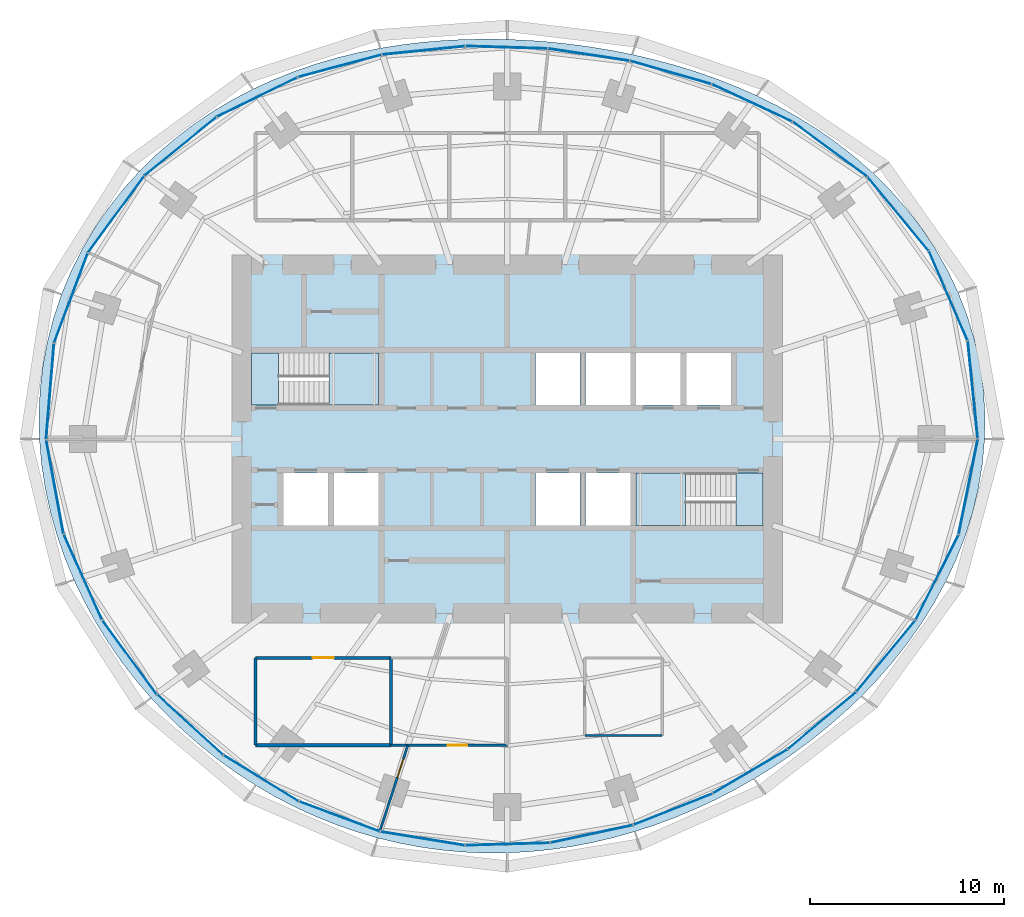
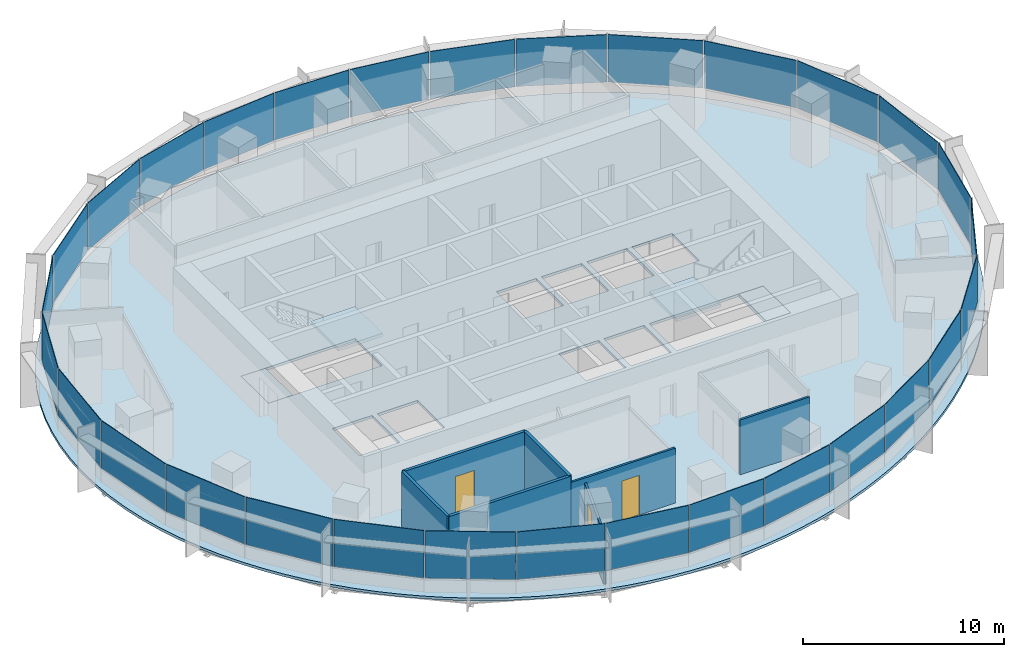
# One storey, part 9 of 14: 30 plates, 7 walls, 5 slabs, 3 doors, 3 openings, 8 elements without a shape of their own.
"""IFC4 building model written with IfcOpenShell, lengths in metres."""

from ifc_helpers import new_model, si_unit, direction, frame, frame_2d, origin, origin_2d, place, context, subcontext, project, spatial, polyline, rectangle, outline, extrude, material, layer, layer_set, type_object, element, fill, aggregate, save


model = new_model("IFC4")

# Units and contexts
model_context = context("Model", 3, precision=1e-05, world=origin(), true_north=direction((0.0, 1.0)))
body_context = subcontext(model_context, "Body", "Model", "MODEL_VIEW")
ifc_project = project(units=[si_unit("LENGTHUNIT", "METRE"), si_unit("AREAUNIT", "SQUARE_METRE"), si_unit("VOLUMEUNIT", "CUBIC_METRE"), si_unit("PLANEANGLEUNIT", "RADIAN"), si_unit("MASSUNIT", "GRAM", prefix="KILO")], contexts=[model_context])

# Site, building, storey
site_placement = place(None, origin())
site = spatial("IfcSite", under=ifc_project, at=site_placement, CompositionType="ELEMENT")
building_placement = place(site_placement, origin())
building = spatial("IfcBuilding", under=site, at=building_placement, Name="Marramba Exchange Tower", CompositionType="ELEMENT")
storey_placement = place(building_placement, frame((0.0, 0.0, 234.5)))
storey = spatial("IfcBuildingStorey", under=building, at=storey_placement, Name="L57", CompositionType="ELEMENT", Elevation=234.5)

# Slab
ifc_material_1 = material(Name="Concrete N40", Category="concrete")
ifc_layer_1 = layer(ifc_material_1, 0.159912109375)
ifc_layer_set_1 = layer_set([ifc_layer_1], Name="Composite floor slab 160")
slab_type_1 = type_object("IfcSlabType", Name="Composite floor slab 160", PredefinedType="FLOOR", material=ifc_layer_set_1)
slab_1_placement = place(storey_placement, frame((0.0, 0.0, -0.159912109375)))
element("IfcSlab", 1, at=slab_1_placement, inside=storey, type_object=slab_type_1, Name="Floor slab L57", PredefinedType="FLOOR", context=body_context, shape_type="SweptSolid", body=[
    extrude(outline(polyline([(24.64404296875, 0.0), (24.661376953125, 1.29248046875), (24.580078125, 2.58349609375), (24.399658203125, 3.864501953125), (24.12109375, 5.127197265625), (23.7470703125, 6.363037109375), (23.281494140625, 7.564697265625), (22.72900390625, 8.724853515625), (22.095947265625, 9.837646484375), (21.388427734375, 10.89794921875), (20.614013671875, 11.901611328125), (19.780029296875, 12.845458984375), (18.894287109375, 13.7275390625), (17.964111328125, 14.547119140625), (16.996826171875, 15.303955078125), (15.9990234375, 15.9990234375), (14.977294921875, 16.634033203125), (13.936767578125, 17.21044921875), (12.882568359375, 17.7314453125), (11.819091796875, 18.19970703125), (10.749267578125, 18.6181640625), (9.67578125, 18.989990234375), (8.60107421875, 19.318115234375), (7.52587890625, 19.60546875), (6.451171875, 19.8544921875), (5.377197265625, 20.067626953125), (4.303466796875, 20.246337890625), (3.229736328125, 20.39208984375), (2.1552734375, 20.50537109375), (1.078857421875, 20.5869140625), (0.0, 20.63623046875), (-1.082275390625, 20.652587890625), (-2.168701171875, 20.634765625), (-3.259765625, 20.580810546875), (-4.35498046875, 20.4892578125), (-5.45458984375, 20.35693359375), (-6.557373046875, 20.181884765625), (-7.662353515625, 19.9609375), (-8.76708984375, 19.691162109375), (-9.869384765625, 19.369873046875), (-10.96630859375, 18.994384765625), (-12.05419921875, 18.561767578125), (-13.128662109375, 18.070068359375), (-14.185546875, 17.517578125), (-15.218994140625, 16.902587890625), (-16.22412109375, 16.22412109375), (-17.195068359375, 15.482421875), (-18.12548828125, 14.677734375), (-19.009521484375, 13.811279296875), (-19.841064453125, 12.885009765625), (-20.614013671875, 11.901611328125), (-21.32275390625, 10.864501953125), (-21.9619140625, 9.778076171875), (-22.52685546875, 8.647216796875), (-23.01318359375, 7.477294921875), (-23.417724609375, 6.274658203125), (-23.73779296875, 5.045654296875), (-23.971923828125, 3.796875), (-24.119384765625, 2.53515625), (-24.180419921875, 1.267333984375), (-24.156005859375, 0.0), (-24.04833984375, -1.26025390625), (-23.860107421875, -2.5078125), (-23.594482421875, -3.737060546875), (-23.25537109375, -4.943115234375), (-22.846923828125, -6.121826171875), (-22.373291015625, -7.26953125), (-21.8388671875, -8.38330078125), (-21.247802734375, -9.460205078125), (-20.604248046875, -10.49853515625), (-19.912109375, -11.496337890625), (-19.174560546875, -12.4521484375), (-18.395263671875, -13.364990234375), (-17.5771484375, -14.233642578125), (-16.72265625, -15.05712890625), (-15.834228515625, -15.834228515625), (-14.914794921875, -16.564453125), (-13.966064453125, -17.24658203125), (-12.990234375, -17.879638671875), (-11.98974609375, -18.46240234375), (-10.96630859375, -18.994384765625), (-9.922607421875, -19.47412109375), (-8.860595703125, -19.901123046875), (-7.78271484375, -20.2744140625), (-6.691162109375, -20.593505859375), (-5.5888671875, -20.858154296875), (-4.478271484375, -21.068115234375), (-3.361328125, -21.22314453125), (-2.2412109375, -21.32373046875), (-1.119873046875, -21.370361328125), (0.0, -21.36376953125), (1.116455078125, -21.3046875), (2.2275390625, -21.194580078125), (3.33154296875, -21.0341796875), (4.426513671875, -20.8251953125), (5.511474609375, -20.56884765625), (6.5849609375, -20.266357421875), (7.646240234375, -19.919189453125), (8.694580078125, -19.528076171875), (9.72900390625, -19.09423828125), (10.749267578125, -18.6181640625), (11.75439453125, -18.100341796875), (12.744140625, -17.541015625), (13.71728515625, -16.939697265625), (14.6728515625, -16.2958984375), (15.609130859375, -15.609130859375), (16.5244140625, -14.878662109375), (17.415771484375, -14.10302734375), (18.280029296875, -13.28125), (19.11376953125, -12.41259765625), (19.912109375, -11.496337890625), (20.669921875, -10.531982421875), (21.3818359375, -9.519775390625), (22.041259765625, -8.4609375), (22.641845703125, -7.356689453125), (23.176513671875, -6.210205078125), (23.638671875, -5.024658203125), (24.022216796875, -3.8046875), (24.32080078125, -2.55615234375), (24.529541015625, -1.28564453125), (24.64404296875, 0.0)]), holes=[polyline([(1.449951171875, 1.75), (3.75, 1.75), (3.75, 4.449951171875), (1.449951171875, 4.449951171875), (1.449951171875, 1.75)]), polyline([(4.050048828125, 1.75), (6.35009765625, 1.75), (6.35009765625, 4.449951171875), (4.050048828125, 4.449951171875), (4.050048828125, 1.75)]), polyline([(1.449951171875, -4.449951171875), (3.75, -4.449951171875), (3.75, -1.75), (1.449951171875, -1.75), (1.449951171875, -4.449951171875)]), polyline([(4.050048828125, -4.449951171875), (6.35009765625, -4.449951171875), (6.35009765625, -1.75), (4.050048828125, -1.75), (4.050048828125, -4.449951171875)]), polyline([(6.64990234375, 1.75), (8.949951171875, 1.75), (8.949951171875, 4.449951171875), (6.64990234375, 4.449951171875), (6.64990234375, 1.75)]), polyline([(-8.949951171875, -4.449951171875), (-6.64990234375, -4.449951171875), (-6.64990234375, -1.75), (-8.949951171875, -1.75), (-8.949951171875, -4.449951171875)]), polyline([(-11.550048828125, -4.449951171875), (-9.25, -4.449951171875), (-9.25, -1.75), (-11.550048828125, -1.75), (-11.550048828125, -4.449951171875)]), polyline([(9.25, 1.75), (11.550048828125, 1.75), (11.550048828125, 4.449951171875), (9.25, 4.449951171875), (9.25, 1.75)]), polyline([(-13.199951171875, 1.75), (-6.64990234375, 1.75), (-6.64990234375, 4.449951171875), (-13.199951171875, 4.449951171875), (-13.199951171875, 1.75)]), polyline([(6.64990234375, -4.449951171875), (13.199951171875, -4.449951171875), (13.199951171875, -1.75), (6.64990234375, -1.75), (6.64990234375, -4.449951171875)])]), origin(), (0.0, 0.0, 1.0), 0.159912109375),
])

# Curtain wall, plates
ifc_material_2 = material(Name="Aluminium framing, bronze anodised", Category="aluminium")
curtain_wall_type = type_object("IfcCurtainWallType", Name="Office ribbon curtain wall", PredefinedType="USERDEFINED", material=ifc_material_2)
curtain_wall_1_placement = place(storey_placement, origin())
curtain_wall_1 = element("IfcCurtainWall", 2, at=curtain_wall_1_placement, inside=storey, type_object=curtain_wall_type, Name="Curtain wall CW4 L57 F01-F05", ObjectType="RIBBON CURTAIN WALL", PredefinedType="USERDEFINED")
ifc_material_3 = material(Name="Laminated double glazed unit 10.76 + 16 + 10.76, bronze tinted", Category="glass")
ifc_layer_2 = layer(ifc_material_3, 0.03759765625)
ifc_layer_set_2 = layer_set([ifc_layer_2], Name="Office ribbon curtain wall panel")
plate_type = type_object("IfcPlateType", Name="Office ribbon curtain wall panel", PredefinedType="CURTAIN_PANEL", material=ifc_layer_set_2)
plate_1_placement = place(storey_placement, frame((24.033203125, 2.556884765625, 0.860107421875), z_axis=(0.0, 0.0, 1.0), x_axis=(-0.101422472607, 0.994843446001, 0.0)))
plate_1 = element("IfcPlate", 3, at=plate_1_placement, type_object=plate_type, Name="CW4 vision panel", PredefinedType="CURTAIN_PANEL", context=body_context, shape_type="SweptSolid", body=[
    extrude(rectangle(XDim=5.0205078125, YDim=0.03759765625, at=origin_2d()), origin(), (0.0, 0.0, 1.0), 2.8798828125),
])
plate_2_placement = place(storey_placement, frame((22.765625, 7.40234375, 0.860107421875), z_axis=(0.0, 0.0, 1.0), x_axis=(-0.396193346946, 0.918167104527, 0.0)))
plate_2 = element("IfcPlate", 4, at=plate_2_placement, type_object=plate_type, Name="CW4 vision panel", PredefinedType="CURTAIN_PANEL", context=body_context, shape_type="SweptSolid", body=[
    extrude(rectangle(XDim=4.99462890625, YDim=0.03759765625, at=origin_2d()), origin(), (0.0, 0.0, 1.0), 2.8798828125),
])
plate_3_placement = place(storey_placement, frame((20.174560546875, 11.631591796875, 0.860107421875), z_axis=(0.0, 0.0, 1.0), x_axis=(-0.637350227411, 0.770574258342, 0.0)))
plate_3 = element("IfcPlate", 5, at=plate_3_placement, type_object=plate_type, Name="CW4 vision panel", PredefinedType="CURTAIN_PANEL", context=body_context, shape_type="SweptSolid", body=[
    extrude(rectangle(XDim=4.90576171875, YDim=0.03759765625, at=origin_2d()), origin(), (0.0, 0.0, 1.0), 2.8798828125),
])
plate_4_placement = place(storey_placement, frame((16.653076171875, 14.965576171875, 0.860107421875), z_axis=(0.0, 0.0, 1.0), x_axis=(-0.804877259395, 0.593441317494, 0.0)))
plate_4 = element("IfcPlate", 6, at=plate_4_placement, type_object=plate_type, Name="CW4 vision panel", PredefinedType="CURTAIN_PANEL", context=body_context, shape_type="SweptSolid", body=[
    extrude(rectangle(XDim=4.745849609375, YDim=0.03759765625, at=origin_2d()), origin(), (0.0, 0.0, 1.0), 2.8798828125),
])
plate_5_placement = place(storey_placement, frame((12.63134765625, 17.357177734375, 0.860107421875), z_axis=(0.0, 0.0, 1.0), x_axis=(-0.906533907301, 0.422133006189, 0.0)))
plate_5 = element("IfcPlate", 7, at=plate_5_placement, type_object=plate_type, Name="CW4 vision panel", PredefinedType="CURTAIN_PANEL", context=body_context, shape_type="SweptSolid", body=[
    extrude(rectangle(XDim=4.53857421875, YDim=0.03759765625, at=origin_2d()), origin(), (0.0, 0.0, 1.0), 2.8798828125),
])
aggregate(curtain_wall_1, [plate_1, plate_2, plate_3, plate_4, plate_5])

curtain_wall_2_placement = place(storey_placement, origin())
curtain_wall_2 = element("IfcCurtainWall", 8, at=curtain_wall_2_placement, inside=storey, type_object=curtain_wall_type, Name="Curtain wall CW4 L57 F06-F10", ObjectType="RIBBON CURTAIN WALL", PredefinedType="USERDEFINED")
plate_6_placement = place(storey_placement, frame((8.4296875, 18.926513671875, 0.860107421875), z_axis=(0.0, 0.0, 1.0), x_axis=(-0.961658954195, 0.274248164656, 0.0)))
plate_6 = element("IfcPlate", 9, at=plate_6_placement, type_object=plate_type, Name="CW4 vision panel", PredefinedType="CURTAIN_PANEL", context=body_context, shape_type="SweptSolid", body=[
    extrude(rectangle(XDim=4.33984375, YDim=0.03759765625, at=origin_2d()), origin(), (0.0, 0.0, 1.0), 2.8798828125),
])
plate_7_placement = place(storey_placement, frame((4.201171875, 19.843994140625, 0.860107421875), z_axis=(0.0, 0.0, 1.0), x_axis=(-0.988868065698, 0.148794988635, 0.0)))
plate_7 = element("IfcPlate", 10, at=plate_7_placement, type_object=plate_type, Name="CW4 vision panel", PredefinedType="CURTAIN_PANEL", context=body_context, shape_type="SweptSolid", body=[
    extrude(rectangle(XDim=4.2119140625, YDim=0.03759765625, at=origin_2d()), origin(), (0.0, 0.0, 1.0), 2.8798828125),
])
plate_8_placement = place(storey_placement, frame((-0.036865234375, 20.222900390625, 0.860107421875), z_axis=(0.0, 0.0, 1.0), x_axis=(-0.999538000143, 0.03039385249, 0.0)))
plate_8 = element("IfcPlate", 11, at=plate_8_placement, type_object=plate_type, Name="CW4 vision panel", PredefinedType="CURTAIN_PANEL", context=body_context, shape_type="SweptSolid", body=[
    extrude(rectangle(XDim=4.19287109375, YDim=0.03759765625, at=origin_2d()), origin(), (0.0, 0.0, 1.0), 2.8798828125),
])
plate_9_placement = place(storey_placement, frame((-4.320556640625, 20.064697265625, 0.860107421875), z_axis=(0.0, 0.0, 1.0), x_axis=(-0.994900357369, -0.100862673507, 0.0)))
plate_9 = element("IfcPlate", 12, at=plate_9_placement, type_object=plate_type, Name="CW4 vision panel", PredefinedType="CURTAIN_PANEL", context=body_context, shape_type="SweptSolid", body=[
    extrude(rectangle(XDim=4.279296875, YDim=0.03759765625, at=origin_2d()), origin(), (0.0, 0.0, 1.0), 2.8798828125),
])
plate_10_placement = place(storey_placement, frame((-8.6494140625, 19.262451171875, 0.860107421875), z_axis=(0.0, 0.0, 1.0), x_axis=(-0.966240653155, -0.257641223778, 0.0)))
plate_10 = element("IfcPlate", 13, at=plate_10_placement, type_object=plate_type, Name="CW4 vision panel", PredefinedType="CURTAIN_PANEL", context=body_context, shape_type="SweptSolid", body=[
    extrude(rectangle(XDim=4.433837890625, YDim=0.03759765625, at=origin_2d()), origin(), (0.0, 0.0, 1.0), 2.8798828125),
])
aggregate(curtain_wall_2, [plate_6, plate_7, plate_8, plate_9, plate_10])

curtain_wall_3_placement = place(storey_placement, origin())
curtain_wall_3 = element("IfcCurtainWall", 14, at=curtain_wall_3_placement, inside=storey, type_object=curtain_wall_type, Name="Curtain wall CW4 L57 F11-F15", ObjectType="RIBBON CURTAIN WALL", PredefinedType="USERDEFINED")
plate_11_placement = place(storey_placement, frame((-12.9150390625, 17.653564453125, 0.860107421875), z_axis=(0.0, 0.0, 1.0), x_axis=(-0.898500518805, -0.438972456661, 0.0)))
plate_11 = element("IfcPlate", 15, at=plate_11_placement, type_object=plate_type, Name="CW4 vision panel", PredefinedType="CURTAIN_PANEL", context=body_context, shape_type="SweptSolid", body=[
    extrude(rectangle(XDim=4.607177734375, YDim=0.03759765625, at=origin_2d()), origin(), (0.0, 0.0, 1.0), 2.8798828125),
])
plate_12_placement = place(storey_placement, frame((-16.87890625, 15.10498046875, 0.860107421875), z_axis=(0.0, 0.0, 1.0), x_axis=(-0.776432169145, -0.630200830464, 0.0)))
plate_12 = element("IfcPlate", 16, at=plate_12_placement, type_object=plate_type, Name="CW4 vision panel", PredefinedType="CURTAIN_PANEL", context=body_context, shape_type="SweptSolid", body=[
    extrude(rectangle(XDim=4.7587890625, YDim=0.03759765625, at=origin_2d()), origin(), (0.0, 0.0, 1.0), 2.8798828125),
])
plate_13_placement = place(storey_placement, frame((-20.2021484375, 11.596435546875, 0.860107421875), z_axis=(0.0, 0.0, 1.0), x_axis=(-0.591962922138, -0.805965197024, 0.0)))
plate_13 = element("IfcPlate", 17, at=plate_13_placement, type_object=plate_type, Name="CW4 vision panel", PredefinedType="CURTAIN_PANEL", context=body_context, shape_type="SweptSolid", body=[
    extrude(rectangle(XDim=4.865478515625, YDim=0.03759765625, at=origin_2d()), origin(), (0.0, 0.0, 1.0), 2.8798828125),
])
plate_14_placement = place(storey_placement, frame((-22.529296875, 7.276123046875, 0.860107421875), z_axis=(0.0, 0.0, 1.0), x_axis=(-0.351951515885, -0.936018231909, 0.0)))
plate_14 = element("IfcPlate", 18, at=plate_14_placement, type_object=plate_type, Name="CW4 vision panel", PredefinedType="CURTAIN_PANEL", context=body_context, shape_type="SweptSolid", body=[
    extrude(rectangle(XDim=4.921630859375, YDim=0.03759765625, at=origin_2d()), origin(), (0.0, 0.0, 1.0), 2.8798828125),
])
plate_15_placement = place(storey_placement, frame((-23.603271484375, 2.45654296875, 0.860107421875), z_axis=(0.0, 0.0, 1.0), x_axis=(-0.082280890264, -0.996609178714, 0.0)))
plate_15 = element("IfcPlate", 19, at=plate_15_placement, type_object=plate_type, Name="CW4 vision panel", PredefinedType="CURTAIN_PANEL", context=body_context, shape_type="SweptSolid", body=[
    extrude(rectangle(XDim=4.9296875, YDim=0.03759765625, at=origin_2d()), origin(), (0.0, 0.0, 1.0), 2.8798828125),
])
aggregate(curtain_wall_3, [plate_11, plate_12, plate_13, plate_14, plate_15])

curtain_wall_4_placement = place(storey_placement, origin())
curtain_wall_4 = element("IfcCurtainWall", 20, at=curtain_wall_4_placement, inside=storey, type_object=curtain_wall_type, Name="Curtain wall CW4 L57 F16-F20", ObjectType="RIBBON CURTAIN WALL", PredefinedType="USERDEFINED")
plate_16_placement = place(storey_placement, frame((-23.354248046875, -2.464599609375, 0.860107421875), z_axis=(0.0, 0.0, 1.0), x_axis=(0.180327438996, -0.983606636184, 0.0)))
plate_16 = element("IfcPlate", 21, at=plate_16_placement, type_object=plate_type, Name="CW4 vision panel", PredefinedType="CURTAIN_PANEL", context=body_context, shape_type="SweptSolid", body=[
    extrude(rectangle(XDim=4.8916015625, YDim=0.03759765625, at=origin_2d()), origin(), (0.0, 0.0, 1.0), 2.8798828125),
])
plate_17_placement = place(storey_placement, frame((-21.908447265625, -7.12158203125, 0.860107421875), z_axis=(0.0, 0.0, 1.0), x_axis=(0.407557580942, -0.913179510401, 0.0)))
plate_17 = element("IfcPlate", 22, at=plate_17_placement, type_object=plate_type, Name="CW4 vision panel", PredefinedType="CURTAIN_PANEL", context=body_context, shape_type="SweptSolid", body=[
    extrude(rectangle(XDim=4.810302734375, YDim=0.03759765625, at=origin_2d()), origin(), (0.0, 0.0, 1.0), 2.8798828125),
])
plate_18_placement = place(storey_placement, frame((-19.50244140625, -11.2626953125, 0.860107421875), z_axis=(0.0, 0.0, 1.0), x_axis=(0.591223103363, -0.806508054547, 0.0)))
plate_18 = element("IfcPlate", 23, at=plate_18_placement, type_object=plate_type, Name="CW4 vision panel", PredefinedType="CURTAIN_PANEL", context=body_context, shape_type="SweptSolid", body=[
    extrude(rectangle(XDim=4.703125, YDim=0.03759765625, at=origin_2d()), origin(), (0.0, 0.0, 1.0), 2.8798828125),
])
plate_19_placement = place(storey_placement, frame((-16.374267578125, -14.752197265625, 0.860107421875), z_axis=(0.0, 0.0, 1.0), x_axis=(0.737203264245, -0.67567103474, 0.0)))
plate_19 = element("IfcPlate", 24, at=plate_19_placement, type_object=plate_type, Name="CW4 vision panel", PredefinedType="CURTAIN_PANEL", context=body_context, shape_type="SweptSolid", body=[
    extrude(rectangle(XDim=4.594970703125, YDim=0.03759765625, at=origin_2d()), origin(), (0.0, 0.0, 1.0), 2.8798828125),
])
plate_20_placement = place(storey_placement, frame((-12.71044921875, -17.513427734375, 0.860107421875), z_axis=(0.0, 0.0, 1.0), x_axis=(0.85230101176, -0.52305160869, 0.0)))
plate_20 = element("IfcPlate", 25, at=plate_20_placement, type_object=plate_type, Name="CW4 vision panel", PredefinedType="CURTAIN_PANEL", context=body_context, shape_type="SweptSolid", body=[
    extrude(rectangle(XDim=4.503173828125, YDim=0.03759765625, at=origin_2d()), origin(), (0.0, 0.0, 1.0), 2.8798828125),
])
aggregate(curtain_wall_4, [plate_16, plate_17, plate_18, plate_19, plate_20])

curtain_wall_5_placement = place(storey_placement, origin())
curtain_wall_5 = element("IfcCurtainWall", 26, at=curtain_wall_5_placement, inside=storey, type_object=curtain_wall_type, Name="Curtain wall CW4 L57 F21-F25", ObjectType="RIBBON CURTAIN WALL", PredefinedType="USERDEFINED")
plate_21_placement = place(storey_placement, frame((-8.6591796875, -19.486572265625, 0.860107421875), z_axis=(0.0, 0.0, 1.0), x_axis=(0.936951583142, -0.349459197687, 0.0)))
plate_21 = element("IfcPlate", 27, at=plate_21_placement, type_object=plate_type, Name="CW4 vision panel", PredefinedType="CURTAIN_PANEL", context=body_context, shape_type="SweptSolid", body=[
    extrude(rectangle(XDim=4.431396484375, YDim=0.03759765625, at=origin_2d()), origin(), (0.0, 0.0, 1.0), 2.8798828125),
])
plate_22_placement = place(storey_placement, frame((-4.3642578125, -20.623046875, 0.860107421875), z_axis=(0.0, 0.0, 1.0), x_axis=(0.986930623159, -0.161145726194, 0.0)))
plate_22 = element("IfcPlate", 28, at=plate_22_placement, type_object=plate_type, Name="CW4 vision panel", PredefinedType="CURTAIN_PANEL", context=body_context, shape_type="SweptSolid", body=[
    extrude(rectangle(XDim=4.37646484375, YDim=0.03759765625, at=origin_2d()), origin(), (0.0, 0.0, 1.0), 2.8798828125),
])
plate_23_placement = place(storey_placement, frame((0.023193359375, -20.91015625, 0.860107421875), z_axis=(0.0, 0.0, 1.0), x_axis=(0.99956791915, 0.029393451762, 0.0)))
plate_23 = element("IfcPlate", 29, at=plate_23_placement, type_object=plate_type, Name="CW4 vision panel", PredefinedType="CURTAIN_PANEL", context=body_context, shape_type="SweptSolid", body=[
    extrude(rectangle(XDim=4.337646484375, YDim=0.03759765625, at=origin_2d()), origin(), (0.0, 0.0, 1.0), 2.8798828125),
])
plate_24_placement = place(storey_placement, frame((4.36328125, -20.3837890625, 0.860107421875), z_axis=(0.0, 0.0, 1.0), x_axis=(0.978058069607, 0.208332456608, 0.0)))
plate_24 = element("IfcPlate", 30, at=plate_24_placement, type_object=plate_type, Name="CW4 vision panel", PredefinedType="CURTAIN_PANEL", context=body_context, shape_type="SweptSolid", body=[
    extrude(rectangle(XDim=4.32177734375, YDim=0.03759765625, at=origin_2d()), origin(), (0.0, 0.0, 1.0), 2.8798828125),
])
plate_25_placement = place(storey_placement, frame((8.553466796875, -19.11328125, 0.860107421875), z_axis=(0.0, 0.0, 1.0), x_axis=(0.93007301435, 0.367374724195, 0.0)))
plate_25 = element("IfcPlate", 31, at=plate_25_placement, type_object=plate_type, Name="CW4 vision panel", PredefinedType="CURTAIN_PANEL", context=body_context, shape_type="SweptSolid", body=[
    extrude(rectangle(XDim=4.345458984375, YDim=0.03759765625, at=origin_2d()), origin(), (0.0, 0.0, 1.0), 2.8798828125),
])
aggregate(curtain_wall_5, [plate_21, plate_22, plate_23, plate_24, plate_25])

curtain_wall_6_placement = place(storey_placement, origin())
curtain_wall_6 = element("IfcCurtainWall", 32, at=curtain_wall_6_placement, inside=storey, type_object=curtain_wall_type, Name="Curtain wall CW4 L57 F26-F30", ObjectType="RIBBON CURTAIN WALL", PredefinedType="USERDEFINED")
plate_26_placement = place(storey_placement, frame((12.5322265625, -17.16015625, 0.860107421875), z_axis=(0.0, 0.0, 1.0), x_axis=(0.861350833897, 0.508010571686, 0.0)))
plate_26 = element("IfcPlate", 33, at=plate_26_placement, type_object=plate_type, Name="CW4 vision panel", PredefinedType="CURTAIN_PANEL", context=body_context, shape_type="SweptSolid", body=[
    extrude(rectangle(XDim=4.426513671875, YDim=0.03759765625, at=origin_2d()), origin(), (0.0, 0.0, 1.0), 2.8798828125),
])
plate_27_placement = place(storey_placement, frame((16.240966796875, -14.536376953125, 0.860107421875), z_axis=(0.0, 0.0, 1.0), x_axis=(0.768736798421, 0.639565270127, 0.0)))
plate_27 = element("IfcPlate", 34, at=plate_27_placement, type_object=plate_type, Name="CW4 vision panel", PredefinedType="CURTAIN_PANEL", context=body_context, shape_type="SweptSolid", body=[
    extrude(rectangle(XDim=4.568603515625, YDim=0.03759765625, at=origin_2d()), origin(), (0.0, 0.0, 1.0), 2.8798828125),
])
plate_28_placement = place(storey_placement, frame((19.548583984375, -11.203369140625, 0.860107421875), z_axis=(0.0, 0.0, 1.0), x_axis=(0.63814998673, 0.769912069289, 0.0)))
plate_28 = element("IfcPlate", 35, at=plate_28_placement, type_object=plate_type, Name="CW4 vision panel", PredefinedType="CURTAIN_PANEL", context=body_context, shape_type="SweptSolid", body=[
    extrude(rectangle(XDim=4.7431640625, YDim=0.03759765625, at=origin_2d()), origin(), (0.0, 0.0, 1.0), 2.8798828125),
])
plate_29_placement = place(storey_placement, frame((22.19287109375, -7.137939453125, 0.860107421875), z_axis=(0.0, 0.0, 1.0), x_axis=(0.450673083956, 0.892689067591, 0.0)))
plate_29 = element("IfcPlate", 36, at=plate_29_placement, type_object=plate_type, Name="CW4 vision panel", PredefinedType="CURTAIN_PANEL", context=body_context, shape_type="SweptSolid", body=[
    extrude(rectangle(XDim=4.897705078125, YDim=0.03759765625, at=origin_2d()), origin(), (0.0, 0.0, 1.0), 2.8798828125),
])
plate_30_placement = place(storey_placement, frame((23.801025390625, -2.446533203125, 0.860107421875), z_axis=(0.0, 0.0, 1.0), x_axis=(0.197495405316, 0.980303812539, 0.0)))
plate_30 = element("IfcPlate", 37, at=plate_30_placement, type_object=plate_type, Name="CW4 vision panel", PredefinedType="CURTAIN_PANEL", context=body_context, shape_type="SweptSolid", body=[
    extrude(rectangle(XDim=4.9912109375, YDim=0.03759765625, at=origin_2d()), origin(), (0.0, 0.0, 1.0), 2.8798828125),
])
aggregate(curtain_wall_6, [plate_26, plate_27, plate_28, plate_29, plate_30])

# Stair, slabs
ifc_material_4 = material(Name="Concrete N40 (40 MPa)", Category="concrete")
stair_type_1 = type_object("IfcStairType", Name="Exit stair ST1 3900 x 1250", PredefinedType="HALF_TURN_STAIR", material=ifc_material_4)
stair_1_placement = place(storey_placement, origin())
stair_1 = element("IfcStair", 38, at=stair_1_placement, inside=storey, type_object=stair_type_1, Name="Exit stair ST1 L57", PredefinedType="HALF_TURN_STAIR")
ifc_layer_3 = layer(ifc_material_4, 0.199951171875)
ifc_layer_set_3 = layer_set([ifc_layer_3], Name="Stair landing 200")
slab_type_2 = type_object("IfcSlabType", Name="Stair landing 200", PredefinedType="LANDING", material=ifc_layer_set_3)
slab_2_placement = place(storey_placement, frame((0.0, 0.0, -0.199951171875)))
slab_2 = element("IfcSlab", 39, at=slab_2_placement, type_object=slab_type_2, Name="ST1 landing 1", PredefinedType="LANDING", context=body_context, shape_type="SweptSolid", body=[
    extrude(outline(polyline([(-13.199951171875, 1.75), (-11.800048828125, 1.75), (-11.800048828125, 4.449951171875), (-13.199951171875, 4.449951171875), (-13.199951171875, 1.75)])), origin(), (0.0, 0.0, 1.0), 0.199951171875),
])
slab_3_placement = place(storey_placement, frame((0.0, 0.0, 1.75)))
slab_3 = element("IfcSlab", 40, at=slab_3_placement, type_object=slab_type_2, Name="ST1 landing 2", PredefinedType="LANDING", context=body_context, shape_type="SweptSolid", body=[
    extrude(outline(polyline([(-9.199951171875, 1.75), (-6.64990234375, 1.75), (-6.64990234375, 4.449951171875), (-9.199951171875, 4.449951171875), (-9.199951171875, 1.75)])), origin(), (0.0, 0.0, 1.0), 0.199951171875),
])
aggregate(stair_1, [slab_2, slab_3])

stair_type_2 = type_object("IfcStairType", Name="Exit stair ST2 3900 x 1250", PredefinedType="HALF_TURN_STAIR", material=ifc_material_4)
stair_2_placement = place(storey_placement, origin())
stair_2 = element("IfcStair", 41, at=stair_2_placement, inside=storey, type_object=stair_type_2, Name="Exit stair ST2 L57", PredefinedType="HALF_TURN_STAIR")
slab_4_placement = place(storey_placement, frame((0.0, 0.0, -0.199951171875)))
slab_4 = element("IfcSlab", 42, at=slab_4_placement, type_object=slab_type_2, Name="ST2 landing 1", PredefinedType="LANDING", context=body_context, shape_type="SweptSolid", body=[
    extrude(outline(polyline([(11.800048828125, -4.449951171875), (13.199951171875, -4.449951171875), (13.199951171875, -1.75), (11.800048828125, -1.75), (11.800048828125, -4.449951171875)])), origin(), (0.0, 0.0, 1.0), 0.199951171875),
])
slab_5_placement = place(storey_placement, frame((0.0, 0.0, 1.75)))
slab_5 = element("IfcSlab", 43, at=slab_5_placement, type_object=slab_type_2, Name="ST2 landing 2", PredefinedType="LANDING", context=body_context, shape_type="SweptSolid", body=[
    extrude(outline(polyline([(6.64990234375, -4.449951171875), (9.199951171875, -4.449951171875), (9.199951171875, -1.75), (6.64990234375, -1.75), (6.64990234375, -4.449951171875)])), origin(), (0.0, 0.0, 1.0), 0.199951171875),
])
aggregate(stair_2, [slab_4, slab_5])

# Wall
ifc_material_5 = material(Name="Plasterboard on staggered double steel studs, acoustic insulation", Category="steel")
ifc_layer_4 = layer(ifc_material_5, 0.169921875)
ifc_layer_set_4 = layer_set([ifc_layer_4], Name="Acoustic partition 170")
wall_type_1 = type_object("IfcWallType", Name="Acoustic partition 170", PredefinedType="PARTITIONING", material=ifc_layer_set_4)
wall_1_placement = place(storey_placement, frame((-13.0, -11.300048828125, 0.0), z_axis=(0.0, 0.0, 1.0), x_axis=(0.0, -1.0, 0.0)))
element("IfcWall", 44, at=wall_1_placement, inside=storey, type_object=wall_type_1, Name="Acoustic partition L57 01", PredefinedType="PARTITIONING", context=body_context, shape_type="SweptSolid", body=[
    extrude(rectangle(XDim=4.5, YDim=0.169921875, at=frame_2d((2.25, 0.0))), origin(), (0.0, 0.0, 1.0), 3.739990234375),
])

# Wall, opening, door
wall_2_placement = place(storey_placement, frame((-6.0, -11.300048828125, 0.0), z_axis=(0.0, 0.0, 1.0), x_axis=(-1.0, 0.0, 0.0)))
wall_2 = element("IfcWall", 45, at=wall_2_placement, inside=storey, type_object=wall_type_1, Name="Acoustic partition L57 02", PredefinedType="PARTITIONING", context=body_context, shape_type="SweptSolid", body=[
    extrude(rectangle(XDim=7.0, YDim=0.169921875, at=frame_2d((3.5, 0.0))), origin(), (0.0, 0.0, 1.0), 3.739990234375),
])
opening_1_placement = place(wall_2_placement, frame((2.949951171875, 0.0, 0.0)))
opening_1 = element("IfcOpeningElement", 46, at=opening_1_placement, cuts=wall_2, Name="Opening D15", PredefinedType="OPENING", context=body_context, shape_type="SweptSolid", body=[
    extrude(rectangle(XDim=1.10009765625, YDim=2.39990234375, at=frame_2d((0.550048828125, 1.199951171875))), frame((0.0, 0.094970703125, 0.0), z_axis=(0.0, -1.0, 0.0), x_axis=(1.0, 0.0, 0.0)), (0.0, 0.0, 1.0), 0.18994140625),
])
ifc_material_6 = material(Name="Timber door", Category="wood")
door_type_1 = type_object("IfcDoorType", Name="Glazed meeting room door 1100x2400", OperationType="SINGLE_SWING_LEFT", PredefinedType="DOOR", material=ifc_material_6)
door_1_placement = place(opening_1_placement, origin())
door_1 = element("IfcDoor", 47, at=door_1_placement, inside=storey, type_object=door_type_1, Name="D15 Meeting Room 4 L57", OperationType="SINGLE_SWING_RIGHT", OverallHeight=2.39990234375, OverallWidth=1.10009765625, PredefinedType="DOOR", context=body_context, shape_type="SweptSolid", body=[
    extrude(rectangle(XDim=1.10009765625, YDim=2.39990234375, at=frame_2d((0.550048828125, 1.199951171875))), frame((0.0, 0.02490234375, 0.0), z_axis=(0.0, -1.0, 0.0), x_axis=(1.0, 0.0, 0.0)), (0.0, 0.0, 1.0), 0.050048828125),
])
fill(opening_1, door_1)

# Walls
wall_3_placement = place(storey_placement, frame((-13.0, -15.800048828125, 0.0), z_axis=(0.0, 0.0, 1.0), x_axis=(1.0, 0.0, 0.0)))
element("IfcWall", 48, at=wall_3_placement, inside=storey, type_object=wall_type_1, Name="Acoustic partition L57 03", PredefinedType="PARTITIONING", context=body_context, shape_type="SweptSolid", body=[
    extrude(rectangle(XDim=7.0, YDim=0.169921875, at=frame_2d((3.5, 0.0))), origin(), (0.0, 0.0, 1.0), 3.739990234375),
])
wall_4_placement = place(storey_placement, frame((-6.0, -11.300048828125, 0.0), z_axis=(0.0, 0.0, 1.0), x_axis=(0.0, -1.0, 0.0)))
element("IfcWall", 49, at=wall_4_placement, inside=storey, type_object=wall_type_1, Name="Acoustic partition L57 04", PredefinedType="PARTITIONING", context=body_context, shape_type="SweptSolid", body=[
    extrude(rectangle(XDim=4.5, YDim=0.169921875, at=frame_2d((2.25, 0.0))), origin(), (0.0, 0.0, 1.0), 3.739990234375),
])

# Wall, opening, door
ifc_material_7 = material(Name="Plasterboard on steel studs", Category="steel")
ifc_layer_5 = layer(ifc_material_7, 0.1201171875)
ifc_layer_set_5 = layer_set([ifc_layer_5], Name="Partition 120")
wall_type_2 = type_object("IfcWallType", Name="Partition 120", PredefinedType="PARTITIONING", material=ifc_layer_set_5)
wall_5_placement = place(storey_placement, frame((-6.558349609375, -20.184814453125, 0.0), z_axis=(0.0, 0.0, 1.0), x_axis=(0.308990279462, 0.951065196082, 0.0)))
wall_5 = element("IfcWall", 50, at=wall_5_placement, inside=storey, type_object=wall_type_2, Name="Partition L57 05", PredefinedType="PARTITIONING", context=body_context, shape_type="SweptSolid", body=[
    extrude(rectangle(XDim=4.6103515625, YDim=0.1201171875, at=frame_2d((2.30517578125, 0.0))), origin(), (0.0, 0.0, 1.0), 3.0400390625),
])
opening_2_placement = place(wall_5_placement, frame((2.85888671875, 0.0, 0.0)))
opening_2 = element("IfcOpeningElement", 51, at=opening_2_placement, cuts=wall_5, Name="Opening D9", PredefinedType="OPENING", context=body_context, shape_type="SweptSolid", body=[
    extrude(rectangle(XDim=1.0, YDim=2.39990234375, at=frame_2d((0.5, 1.199951171875))), frame((0.0, 0.070068359375, 0.0), z_axis=(0.0, -1.0, 0.0), x_axis=(1.0, 0.0, 0.0)), (0.0, 0.0, 1.0), 0.14013671875),
])
door_type_2 = type_object("IfcDoorType", Name="Room door 1000x2400", OperationType="SINGLE_SWING_LEFT", PredefinedType="DOOR", material=ifc_material_6)
door_2_placement = place(opening_2_placement, origin())
door_2 = element("IfcDoor", 52, at=door_2_placement, inside=storey, type_object=door_type_2, Name="D9 Client Advisory Office L57", OperationType="SINGLE_SWING_RIGHT", OverallHeight=2.39990234375, OverallWidth=1.0, PredefinedType="DOOR", context=body_context, shape_type="SweptSolid", body=[
    extrude(rectangle(XDim=1.0, YDim=2.39990234375, at=frame_2d((0.5, 1.199951171875))), frame((0.0, 0.02490234375, 0.0), z_axis=(0.0, -1.0, 0.0), x_axis=(1.0, 0.0, 0.0)), (0.0, 0.0, 1.0), 0.050048828125),
])
fill(opening_2, door_2)

wall_6_placement = place(storey_placement, frame((-6.0, -15.800048828125, 0.0), z_axis=(0.0, 0.0, 1.0), x_axis=(1.0, 0.0, 0.0)))
wall_6 = element("IfcWall", 53, at=wall_6_placement, inside=storey, type_object=wall_type_2, Name="Partition L57 08", PredefinedType="PARTITIONING", context=body_context, shape_type="SweptSolid", body=[
    extrude(rectangle(XDim=6.0, YDim=0.1201171875, at=frame_2d((3.0, 0.0))), origin(), (0.0, 0.0, 1.0), 3.333984375),
])
opening_3_placement = place(wall_6_placement, frame((2.93310546875, 0.0, 0.0)))
opening_3 = element("IfcOpeningElement", 54, at=opening_3_placement, cuts=wall_6, Name="Opening D9", PredefinedType="OPENING", context=body_context, shape_type="SweptSolid", body=[
    extrude(rectangle(XDim=1.0, YDim=2.39990234375, at=frame_2d((0.5, 1.199951171875))), frame((0.0, 0.070068359375, 0.0), z_axis=(0.0, -1.0, 0.0), x_axis=(1.0, 0.0, 0.0)), (0.0, 0.0, 1.0), 0.14013671875),
])
door_3_placement = place(opening_3_placement, origin())
door_3 = element("IfcDoor", 55, at=door_3_placement, inside=storey, type_object=door_type_2, Name="D9 Pantry L57", OperationType="SINGLE_SWING_RIGHT", OverallHeight=2.39990234375, OverallWidth=1.0, PredefinedType="DOOR", context=body_context, shape_type="SweptSolid", body=[
    extrude(rectangle(XDim=1.0, YDim=2.39990234375, at=frame_2d((0.5, 1.199951171875))), frame((0.0, 0.02490234375, 0.0), z_axis=(0.0, -1.0, 0.0), x_axis=(1.0, 0.0, 0.0)), (0.0, 0.0, 1.0), 0.050048828125),
])
fill(opening_3, door_3)

# Wall
wall_7_placement = place(storey_placement, frame((8.0, -15.300048828125, 0.0), z_axis=(0.0, 0.0, 1.0), x_axis=(-1.0, 0.0, 0.0)))
element("IfcWall", 56, at=wall_7_placement, inside=storey, type_object=wall_type_2, Name="Partition L57 11", PredefinedType="PARTITIONING", context=body_context, shape_type="SweptSolid", body=[
    extrude(rectangle(XDim=4.0, YDim=0.1201171875, at=frame_2d((2.0, 0.0))), origin(), (0.0, 0.0, 1.0), 3.333984375),
])

save(model, "model.ifc")
